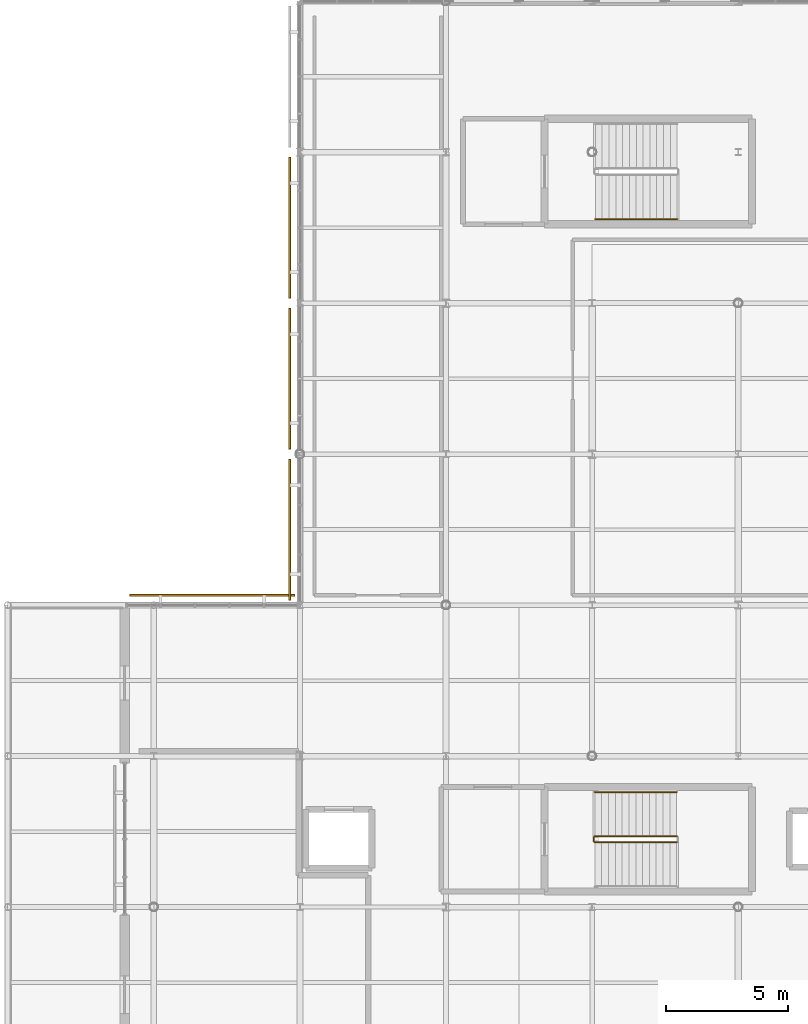
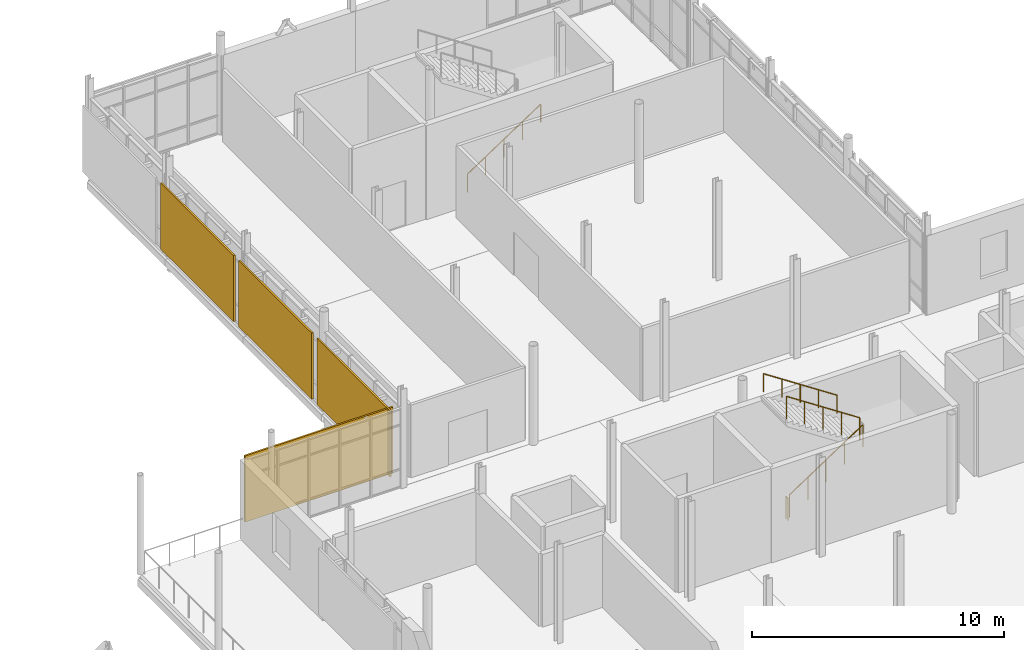
# One storey, part 79 of 84: 5 railings, 4 shading devices.
"""IFC4 building model written with IfcOpenShell, lengths in metres."""

from ifc_helpers import new_model, si_unit, direction, frame, origin, origin_2d, place, context, subcontext, project, spatial, rectangle, circle, extrude, material, layer, layer_set, type_object, element, save


model = new_model("IFC4")

# Units and contexts
model_context = context("Model", 3, precision=1e-05, world=origin(), true_north=direction((0.0, 1.0)))
body_context = subcontext(model_context, "Body", "Model", "MODEL_VIEW")
ifc_project = project(units=[si_unit("LENGTHUNIT", "METRE"), si_unit("AREAUNIT", "SQUARE_METRE"), si_unit("VOLUMEUNIT", "CUBIC_METRE"), si_unit("PLANEANGLEUNIT", "RADIAN"), si_unit("MASSUNIT", "GRAM", prefix="KILO")], contexts=[model_context])

# Site, building, storey
site_placement = place(None, origin())
site = spatial("IfcSite", under=ifc_project, at=site_placement, CompositionType="ELEMENT")
building_placement = place(site_placement, origin())
building = spatial("IfcBuilding", under=site, at=building_placement, Name="Mirzam Square Science Centre", CompositionType="ELEMENT")
storey_placement = place(building_placement, frame((0.0, 0.0, 10.800048828125)))
storey = spatial("IfcBuildingStorey", under=building, at=storey_placement, Name="L02", CompositionType="ELEMENT", Elevation=10.800048828125)

# Railings
ifc_material_1 = material(Name="Bronze-Anodised Architectural Balustrade", Category="aluminium")
railing_type_1 = type_object("IfcRailingType", Name="RL-INT-GUARD-1100", PredefinedType="GUARDRAIL", material=ifc_material_1)
railing_1_placement = place(storey_placement, frame((126.110107421875, 77.06005859375, 0.1845703125)))
element("IfcRailing", 1, at=railing_1_placement, inside=storey, type_object=railing_type_1, Name="L02 ST-04 stair guard 1", PredefinedType="GUARDRAIL", context=body_context, shape_type="SweptSolid", body=[
    extrude(circle(Radius=0.02392578125, at=origin_2d()), frame((0.0, 0.0, 1.076171875), z_axis=(0.834858096282, 0.0, 0.550465220583), x_axis=(0.0, 1.0, 0.0)), (0.0, 0.0, 1.0), 4.0244140625),
    extrude(circle(Radius=0.02099609375, at=origin_2d()), origin(), (0.0, 0.0, 1.0), 1.052001953125),
    extrude(circle(Radius=0.02099609375, at=origin_2d()), frame((0.83984375, 0.0, 0.5537109375)), (0.0, 0.0, 1.0), 1.052001953125),
    extrude(circle(Radius=0.02099609375, at=origin_2d()), frame((1.679931640625, 0.0, 1.107666015625)), (0.0, 0.0, 1.0), 1.052001953125),
    extrude(circle(Radius=0.02099609375, at=origin_2d()), frame((2.52001953125, 0.0, 1.66162109375)), (0.0, 0.0, 1.0), 1.052001953125),
    extrude(circle(Radius=0.02099609375, at=origin_2d()), frame((3.35986328125, 0.0, 2.21533203125)), (0.0, 0.0, 1.0), 1.052001953125),
])
railing_2_placement = place(storey_placement, frame((129.469970703125, 77.31005859375, 2.58447265625)))
element("IfcRailing", 2, at=railing_2_placement, inside=storey, type_object=railing_type_1, Name="L02 ST-04 stair guard 3", PredefinedType="GUARDRAIL", context=body_context, shape_type="SweptSolid", body=[
    extrude(circle(Radius=0.02392578125, at=origin_2d()), frame((0.0, 0.0, 1.076171875), z_axis=(-0.83483021737, 0.0, 0.550507500554), x_axis=(0.0, -1.0, 0.0)), (0.0, 0.0, 1.0), 4.024658203125),
    extrude(circle(Radius=0.02099609375, at=origin_2d()), origin(), (0.0, 0.0, 1.0), 1.052001953125),
    extrude(circle(Radius=0.02099609375, at=origin_2d()), frame((-0.83984375, 0.0, 0.553955078125)), (0.0, 0.0, 1.0), 1.052001953125),
    extrude(circle(Radius=0.02099609375, at=origin_2d()), frame((-1.679931640625, 0.0, 1.10791015625)), (0.0, 0.0, 1.0), 1.052001953125),
    extrude(circle(Radius=0.02099609375, at=origin_2d()), frame((-2.52001953125, 0.0, 1.66162109375)), (0.0, 0.0, 1.0), 1.052001953125),
    extrude(circle(Radius=0.02099609375, at=origin_2d()), frame((-3.35986328125, 0.0, 2.215576171875)), (0.0, 0.0, 1.0), 1.052001953125),
])
railing_3_placement = place(storey_placement, frame((126.06005859375, 77.110107421875, 0.0)))
element("IfcRailing", 3, at=railing_3_placement, inside=storey, type_object=railing_type_1, Name="L02 ST-04 stair guard 4", PredefinedType="GUARDRAIL", context=body_context, shape_type="SweptSolid", body=[
    extrude(circle(Radius=0.02392578125, at=origin_2d()), frame((0.0, 0.0, 1.076171875), z_axis=(0.0, 1.0, 0.0), x_axis=(-1.0, 0.0, 0.0)), (0.0, 0.0, 1.0), 0.14990234375),
    extrude(circle(Radius=0.02099609375, at=origin_2d()), origin(), (0.0, 0.0, 1.0), 1.052001953125),
    extrude(circle(Radius=0.02099609375, at=origin_2d()), frame((0.0, 0.14990234375, 0.0)), (0.0, 0.0, 1.0), 1.052001953125),
])
ifc_material_2 = material(Name="Brushed Bronze Tubular Handrail", Category="aluminium")
railing_type_2 = type_object("IfcRailingType", Name="RL-STAIR-HANDRAIL-900", PredefinedType="HANDRAIL", material=ifc_material_2)
railing_4_placement = place(storey_placement, frame((129.469970703125, 79.1201171875, 2.78125)))
element("IfcRailing", 4, at=railing_4_placement, inside=storey, type_object=railing_type_2, Name="L02 ST-04 stair handrail 2", PredefinedType="HANDRAIL", context=body_context, shape_type="SweptSolid", body=[
    extrude(circle(Radius=0.02392578125, at=origin_2d()), frame((0.0, 0.0, 0.8759765625), z_axis=(-0.834858096282, 0.0, 0.550465220583), x_axis=(0.0, -1.0, 0.0)), (0.0, 0.0, 1.0), 4.0244140625),
    extrude(circle(Radius=0.02099609375, at=origin_2d()), origin(), (0.0, 0.0, 1.0), 0.851806640625),
    extrude(circle(Radius=0.02099609375, at=origin_2d()), frame((-0.83984375, 0.0, 0.5537109375)), (0.0, 0.0, 1.0), 0.851806640625),
    extrude(circle(Radius=0.02099609375, at=origin_2d()), frame((-1.679931640625, 0.0, 1.107666015625)), (0.0, 0.0, 1.0), 0.851806640625),
    extrude(circle(Radius=0.02099609375, at=origin_2d()), frame((-2.52001953125, 0.0, 1.66162109375)), (0.0, 0.0, 1.0), 0.851806640625),
    extrude(circle(Radius=0.02099609375, at=origin_2d()), frame((-3.35986328125, 0.0, 2.21533203125)), (0.0, 0.0, 1.0), 0.851806640625),
])
railing_5_placement = place(storey_placement, frame((126.1298828125, 102.64990234375, 0.381103515625)))
element("IfcRailing", 5, at=railing_5_placement, inside=storey, type_object=railing_type_2, Name="L02 ST-11 stair handrail 1", PredefinedType="HANDRAIL", context=body_context, shape_type="SweptSolid", body=[
    extrude(circle(Radius=0.02392578125, at=origin_2d()), frame((0.0, 0.0, 0.8759765625), z_axis=(0.834848600103, 0.0, 0.550479622607), x_axis=(0.0, 1.0, 0.0)), (0.0, 0.0, 1.0), 4.02490234375),
    extrude(circle(Radius=0.02099609375, at=origin_2d()), origin(), (0.0, 0.0, 1.0), 0.851806640625),
    extrude(circle(Radius=0.02099609375, at=origin_2d()), frame((0.840087890625, 0.0, 0.553955078125)), (0.0, 0.0, 1.0), 0.851806640625),
    extrude(circle(Radius=0.02099609375, at=origin_2d()), frame((1.68017578125, 0.0, 1.10791015625)), (0.0, 0.0, 1.0), 0.851806640625),
    extrude(circle(Radius=0.02099609375, at=origin_2d()), frame((2.52001953125, 0.0, 1.66162109375)), (0.0, 0.0, 1.0), 0.851806640625),
    extrude(circle(Radius=0.02099609375, at=origin_2d()), frame((3.360107421875, 0.0, 2.215576171875)), (0.0, 0.0, 1.0), 0.851806640625),
])

# Shading devices
ifc_material_3 = material(Name="Perforated Bronze-Anodised Aluminium Brise-Soleil", Category="aluminium")
ifc_layer = layer(ifc_material_3, 0.080078125)
ifc_layer_set = layer_set([ifc_layer], Name="SHD-BRISE-BRONZE")
shading_device_type = type_object("IfcShadingDeviceType", Name="SHD-BRISE-BRONZE", PredefinedType="JALOUSIE", material=ifc_layer_set)
shading_device_placement = place(storey_placement, frame((110.39990234375, 87.2099609375, 0.48974609375), z_axis=(0.0, 0.0, 1.0), x_axis=(-1.0, 0.0, 0.0)))
element("IfcShadingDevice", 6, at=shading_device_placement, inside=storey, type_object=shading_device_type, Name="L02 bronze brise-soleil screen 99", PredefinedType="JALOUSIE", context=body_context, shape_type="SweptSolid", body=[
    extrude(rectangle(XDim=6.7900390625, YDim=0.080078125, at=origin_2d()), origin(), (0.0, 0.0, 1.0), 3.199951171875),
])
for number, where, z_axis, x_axis, name in (
    (7, (113.590087890625, 89.89990234375, 0.48974609375), (0.0, 0.0, 1.0), (0.0, -1.0, 0.0), "L02 bronze brise-soleil screen 105"),
    (8, (113.590087890625, 96.10009765625, 0.48974609375), (0.0, 0.0, 1.0), (0.0, -1.0, 0.0), "L02 bronze brise-soleil screen 107"),
    (9, (113.590087890625, 102.300048828125, 0.48974609375), (0.0, 0.0, 1.0), (0.0, -1.0, 0.0), "L02 bronze brise-soleil screen 109"),
):
    element("IfcShadingDevice", number, at=place(storey_placement, frame(where, z_axis=z_axis, x_axis=x_axis)), inside=storey, type_object=shading_device_type, Name=name, PredefinedType="JALOUSIE", context=body_context, shape_type="SweptSolid", body=[
        extrude(rectangle(XDim=5.7900390625, YDim=0.080078125, at=origin_2d()), origin(), (0.0, 0.0, 1.0), 3.199951171875),
    ])

save(model, "model.ifc")
